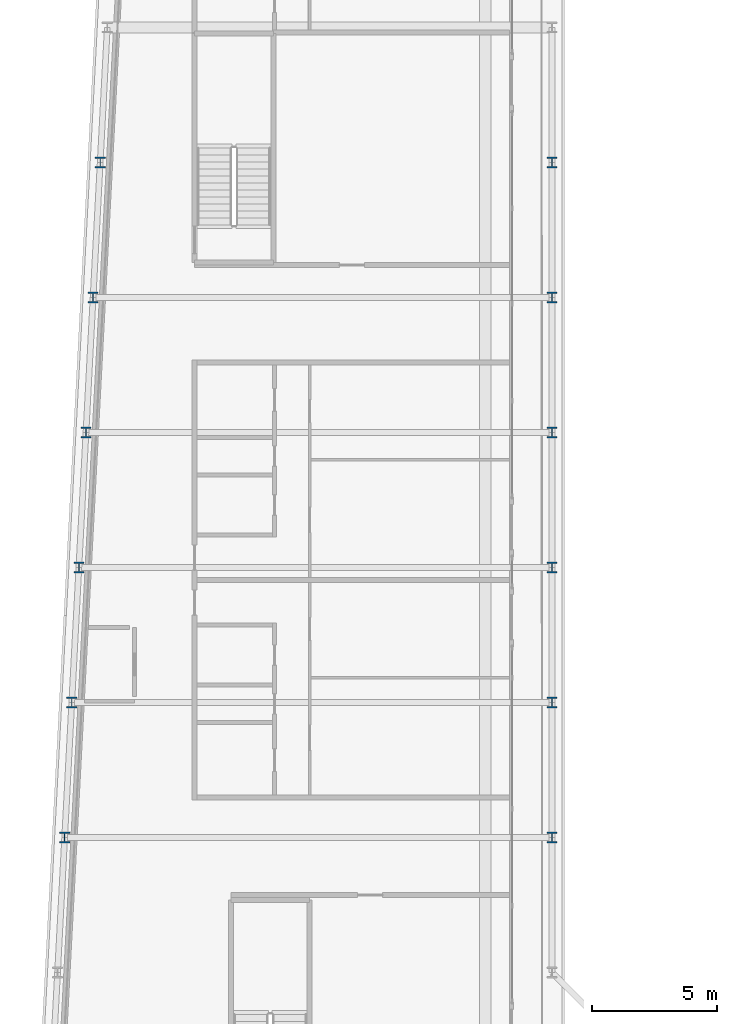
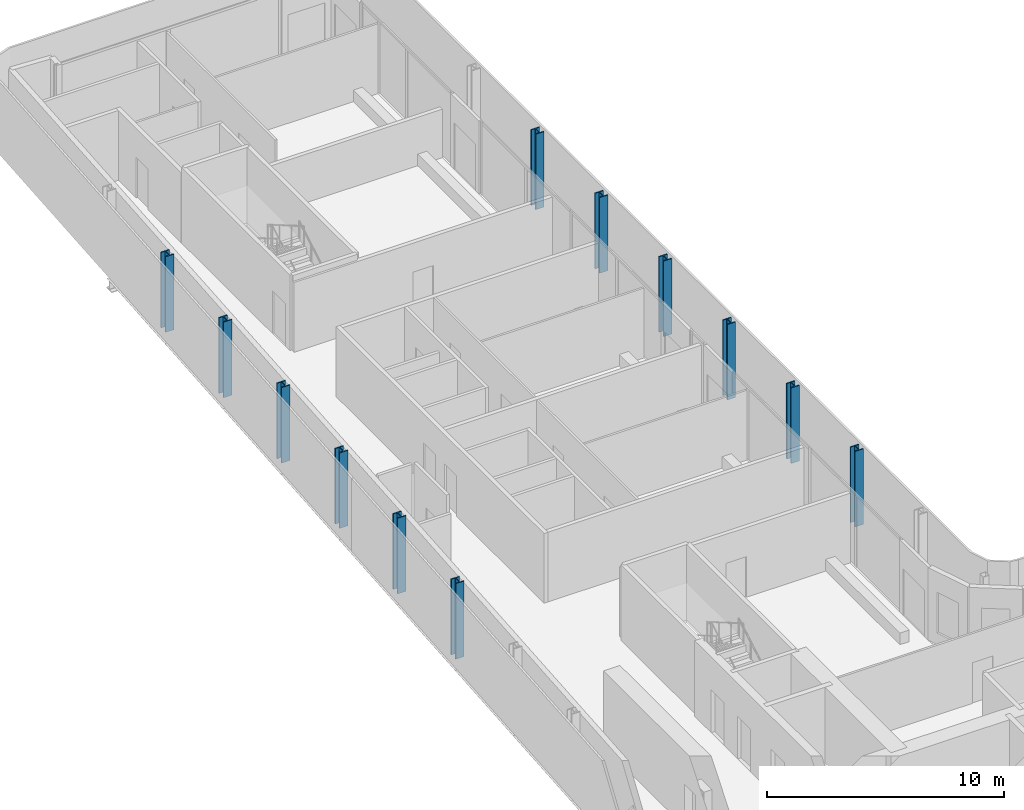
# One storey, part 3 of 29: 12 columns.
"""IFC4 building model written with IfcOpenShell, lengths in metres."""

from ifc_helpers import new_model, si_unit, direction, frame, origin, origin_2d, place, context, subcontext, project, spatial, i_section, extrude, material, material_profile, profile_set, type_object, element, save


model = new_model("IFC4")

# Units and contexts
model_context = context("Model", 3, precision=1e-05, world=origin(), true_north=direction((0.0, 1.0)))
body_context = subcontext(model_context, "Body", "Model", "MODEL_VIEW")
ifc_project = project(units=[si_unit("LENGTHUNIT", "METRE"), si_unit("AREAUNIT", "SQUARE_METRE"), si_unit("VOLUMEUNIT", "CUBIC_METRE"), si_unit("PLANEANGLEUNIT", "RADIAN"), si_unit("MASSUNIT", "GRAM", prefix="KILO")], contexts=[model_context])

# Site, building, storey
site_placement = place(None, origin())
site = spatial("IfcSite", under=ifc_project, at=site_placement, CompositionType="ELEMENT")
building_placement = place(site_placement, origin())
building = spatial("IfcBuilding", under=site, at=building_placement, Name="Kheshtan School and Residences Tower", CompositionType="ELEMENT")
storey_placement = place(building_placement, frame((0.0, 0.0, 176.0)))
storey = spatial("IfcBuildingStorey", under=building, at=storey_placement, Name="L41", CompositionType="ELEMENT", Elevation=176.0)

# Columns
ifc_material = material(Name="Steel ASTM A992 Grade 50", Category="steel")
ifc_material_profile = material_profile(ifc_material, i_section(OverallWidth=0.408935546875, OverallDepth=0.425048828125, WebThickness=0.03271484375, FlangeThickness=0.052490234375, FilletRadius=0.0126953125, at=origin_2d()), Name="W360x421")
ifc_profile_set = profile_set([ifc_material_profile], Name="Steel ASTM A992 Grade 50")
column_type = type_object("IfcColumnType", Name="Column C3 W360x421 ASTM A992 Grade 50", PredefinedType="COLUMN", material=ifc_profile_set)
for number, where, z_axis, x_axis, name in (
    (1, (28.10595703125, 56.39990234375, 0.0), (0.0, 0.0, 1.0), (1.0, 0.0, 0.0), "Column C080"),
    (2, (47.60009765625, 56.39990234375, 0.0), (0.0, 0.0, 1.0), (1.0, 0.0, 0.0), "Column C081"),
    (3, (28.389892578125, 61.800048828125, 0.0), (0.0, 0.0, 1.0), (1.0, 0.0, 0.0), "Column C082"),
    (4, (47.60009765625, 61.800048828125, 0.0), (0.0, 0.0, 1.0), (1.0, 0.0, 0.0), "Column C083"),
    (5, (28.674072265625, 67.199951171875, 0.0), (0.0, 0.0, 1.0), (1.0, 0.0, 0.0), "Column C084"),
    (6, (47.60009765625, 67.199951171875, 0.0), (0.0, 0.0, 1.0), (1.0, 0.0, 0.0), "Column C085"),
    (7, (28.9580078125, 72.60009765625, 0.0), (0.0, 0.0, 1.0), (1.0, 0.0, 0.0), "Column C086"),
    (8, (47.60009765625, 72.60009765625, 0.0), (0.0, 0.0, 1.0), (1.0, 0.0, 0.0), "Column C087"),
    (9, (29.242919921875, 78.0, 0.0), (0.0, 0.0, 1.0), (1.0, 0.0, 0.0), "Column C088"),
    (10, (47.60009765625, 78.0, 0.0), (0.0, 0.0, 1.0), (1.0, 0.0, 0.0), "Column C089"),
    (11, (29.527099609375, 83.39990234375, 0.0), (0.0, 0.0, 1.0), (1.0, 0.0, 0.0), "Column C090"),
    (12, (47.60009765625, 83.39990234375, 0.0), (0.0, 0.0, 1.0), (1.0, 0.0, 0.0), "Column C091"),
):
    element("IfcColumn", number, at=place(storey_placement, frame(where, z_axis=z_axis, x_axis=x_axis)), inside=storey, type_object=column_type, Name=name, PredefinedType="COLUMN", context=body_context, shape_type="SweptSolid", body=[
        extrude(i_section(OverallWidth=0.408935546875, OverallDepth=0.425048828125, WebThickness=0.03271484375, FlangeThickness=0.052490234375, FilletRadius=0.0126953125, at=origin_2d()), origin(), (0.0, 0.0, 1.0), 3.89990234375),
    ])

save(model, "model.ifc")
